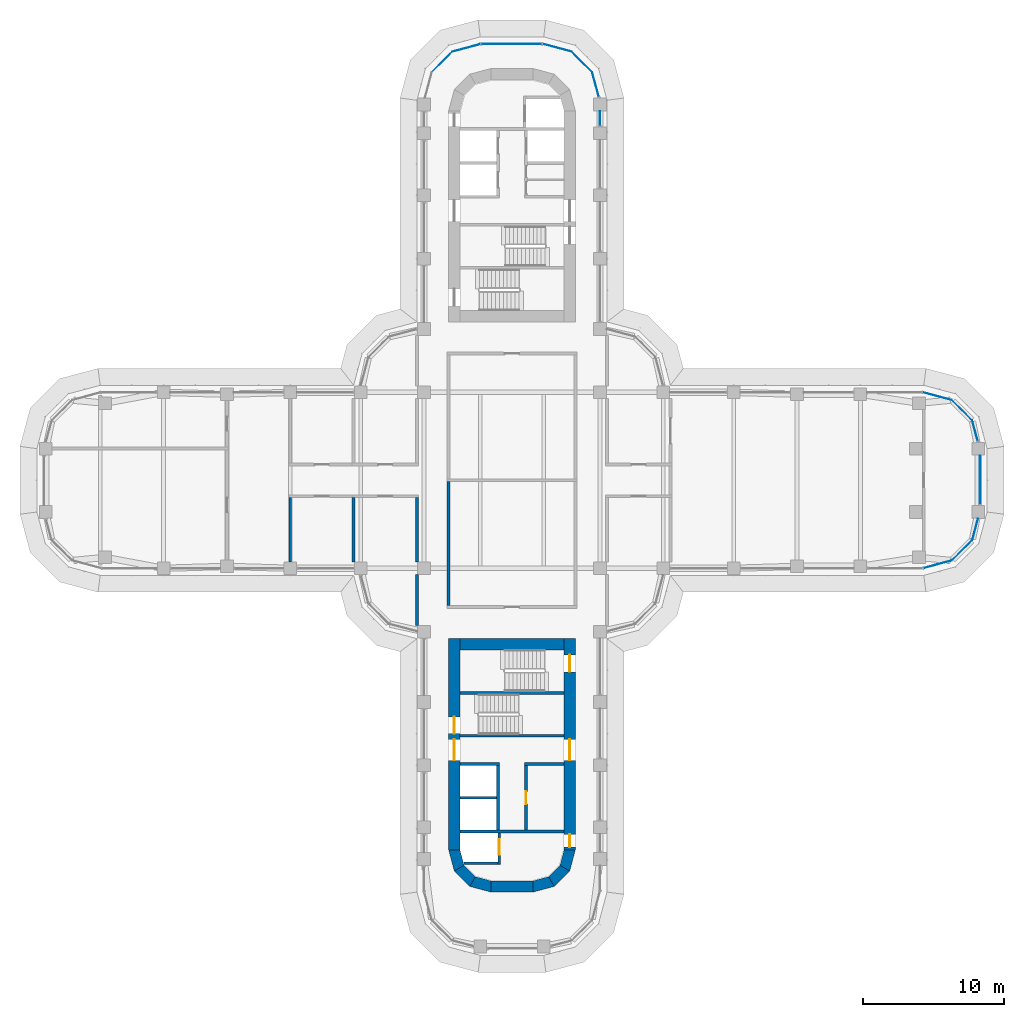
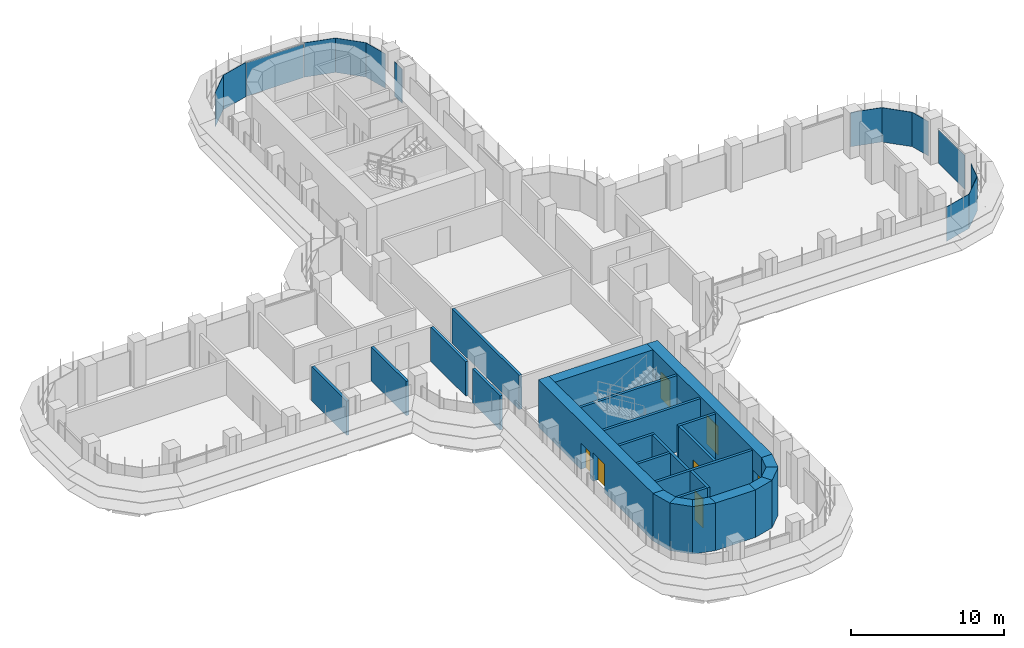
# One storey, part 15 of 21: 25 walls, 14 plates, 7 doors, 7 openings, 14 elements without a shape of their own.
"""IFC4 building model written with IfcOpenShell, lengths in metres."""

from ifc_helpers import new_model, si_unit, direction, frame, frame_2d, origin, place, context, subcontext, project, spatial, polyline, rectangle, outline, extrude, source, transform, mapped, material, layer, layer_set, type_object, element, fill, aggregate, save


model = new_model("IFC4")

# Units and contexts
model_context = context("Model", 3, precision=1e-05, world=origin(), true_north=direction((0.0, 1.0)))
body_context = subcontext(model_context, "Body", "Model", "MODEL_VIEW")
ifc_project = project(units=[si_unit("LENGTHUNIT", "METRE"), si_unit("AREAUNIT", "SQUARE_METRE"), si_unit("VOLUMEUNIT", "CUBIC_METRE"), si_unit("PLANEANGLEUNIT", "RADIAN"), si_unit("MASSUNIT", "GRAM", prefix="KILO")], contexts=[model_context])

# Site, building, storey
site_placement = place(None, origin())
site = spatial("IfcSite", under=ifc_project, at=site_placement, CompositionType="ELEMENT")
building_placement = place(site_placement, origin())
building = spatial("IfcBuilding", under=site, at=building_placement, Name="Zarbagh Exchange Tower", CompositionType="ELEMENT")
storey_placement = place(building_placement, frame((0.0, 0.0, 120.800048828125)))
storey = spatial("IfcBuildingStorey", under=building, at=storey_placement, Name="L28", CompositionType="ELEMENT", Elevation=120.800048828125)

# Curtain wall, plate
ifc_material_1 = material(Name="Anodised aluminium frame and glazing", Category="aluminium")
curtain_wall_type = type_object("IfcCurtainWallType", Name="CWA Ribbon glazing, lower zones", PredefinedType="NOTDEFINED", material=ifc_material_1)
curtain_wall_1_placement = place(storey_placement, origin())
curtain_wall_1 = element("IfcCurtainWall", 1, at=curtain_wall_1_placement, inside=storey, type_object=curtain_wall_type, Name="CWA13 curtain wall", PredefinedType="NOTDEFINED")
ifc_material_2 = material(Name="Low-e double glazed unit, 6+12+6 mm")
ifc_layer_1 = layer(ifc_material_2, 0.028076171875)
ifc_layer_set_1 = layer_set([ifc_layer_1], Name="PAA Glazing panel, Low-e double glazed unit, 6+12+6 mm")
plate_type = type_object("IfcPlateType", Name="PAA Glazing panel, Low-e double glazed unit, 6+12+6 mm", PredefinedType="CURTAIN_PANEL", material=ifc_layer_set_1)
shared_shape_1 = source(origin(), body_context, "Body", "SweptSolid", [
    extrude(outline(polyline([(0.0, -0.013916015625), (1.494140625, -0.013916015625), (1.494140625, 0.013916015625), (0.0, 0.013916015625), (0.0, -0.013916015625)])), origin(), (0.0, 0.0, 1.0), 2.75),
])
placement = place(storey_placement, origin())
plate_1 = element("IfcPlate", 2, at=placement, type_object=plate_type, Name="CWA13 glazing panel 1.1", PredefinedType="CURTAIN_PANEL", context=body_context, shape_type="MappedRepresentation", body=[
    mapped(shared_shape_1, transform((33.08544921875, 2.7978515625, 0.0), x_axis=(-0.258824779902, 0.965924289636, 0.0), y_axis=(-0.965924289636, -0.258824779902, 0.0), z_axis=(0.0, 0.0, 1.0))),
])
aggregate(curtain_wall_1, [plate_1])

curtain_wall_2_placement = place(storey_placement, origin())
curtain_wall_2 = element("IfcCurtainWall", 3, at=curtain_wall_2_placement, inside=storey, type_object=curtain_wall_type, Name="CWA10 curtain wall", PredefinedType="NOTDEFINED")
shared_shape_2 = source(origin(), body_context, "Body", "SweptSolid", [
    extrude(outline(polyline([(0.0, -0.013916015625), (2.061279296875, -0.013916015625), (2.061279296875, 0.013916015625), (0.0, 0.013916015625), (0.0, -0.013916015625)])), origin(), (0.0, 0.0, 1.0), 2.75),
])
plate_2 = element("IfcPlate", 4, at=placement, type_object=plate_type, Name="CWA10 glazing panel 1.1", PredefinedType="CURTAIN_PANEL", context=body_context, shape_type="MappedRepresentation", body=[
    mapped(shared_shape_2, transform((31.2412109375, -5.69873046875, 0.0), x_axis=(0.707106781187, 0.707106781187, 0.0), y_axis=(-0.707106781187, 0.707106781187, 0.0), z_axis=(0.0, 0.0, 1.0))),
])
aggregate(curtain_wall_2, [plate_2])

curtain_wall_3_placement = place(storey_placement, origin())
curtain_wall_3 = element("IfcCurtainWall", 5, at=curtain_wall_3_placement, inside=storey, type_object=curtain_wall_type, Name="CWA14 curtain wall", PredefinedType="NOTDEFINED")
plate_3 = element("IfcPlate", 6, at=placement, type_object=plate_type, Name="CWA14 glazing panel 1.1", PredefinedType="CURTAIN_PANEL", context=body_context, shape_type="MappedRepresentation", body=[
    mapped(shared_shape_2, transform((32.69873046875, 4.2412109375, 0.0), x_axis=(-0.707106781187, 0.707106781187, 0.0), y_axis=(-0.707106781187, -0.707106781187, 0.0), z_axis=(0.0, 0.0, 1.0))),
])
aggregate(curtain_wall_3, [plate_3])

curtain_wall_4_placement = place(storey_placement, origin())
curtain_wall_4 = element("IfcCurtainWall", 7, at=curtain_wall_4_placement, inside=storey, type_object=curtain_wall_type, Name="CWA51 curtain wall", PredefinedType="NOTDEFINED")
plate_4 = element("IfcPlate", 8, at=placement, type_object=plate_type, Name="CWA51 glazing panel 1.1", PredefinedType="CURTAIN_PANEL", context=body_context, shape_type="MappedRepresentation", body=[
    mapped(shared_shape_2, transform((5.69873046875, 28.9912109375, 0.0), x_axis=(-0.707106781187, 0.707106781187, 0.0), y_axis=(-0.707106781187, -0.707106781187, 0.0), z_axis=(0.0, 0.0, 1.0))),
])
aggregate(curtain_wall_4, [plate_4])

curtain_wall_5_placement = place(storey_placement, origin())
curtain_wall_5 = element("IfcCurtainWall", 9, at=curtain_wall_5_placement, inside=storey, type_object=curtain_wall_type, Name="CWA54 curtain wall", PredefinedType="NOTDEFINED")
plate_5 = element("IfcPlate", 10, at=placement, type_object=plate_type, Name="CWA54 glazing panel 1.1", PredefinedType="CURTAIN_PANEL", context=body_context, shape_type="MappedRepresentation", body=[
    mapped(shared_shape_2, transform((-4.2412109375, 30.44873046875, 0.0), x_axis=(-0.707106781187, -0.707106781187, 0.0), y_axis=(0.707106781187, -0.707106781187, 0.0), z_axis=(0.0, 0.0, 1.0))),
])
aggregate(curtain_wall_5, [plate_5])

curtain_wall_6_placement = place(storey_placement, origin())
curtain_wall_6 = element("IfcCurtainWall", 11, at=curtain_wall_6_placement, inside=storey, type_object=curtain_wall_type, Name="CWA15 curtain wall", PredefinedType="NOTDEFINED")
shared_shape_3 = source(origin(), body_context, "Body", "SweptSolid", [
    extrude(outline(polyline([(0.0, -0.013916015625), (2.129638671875, -0.013916015625), (2.129638671875, 0.013916015625), (0.0, 0.013916015625), (0.0, -0.013916015625)])), origin(), (0.0, 0.0, 1.0), 2.75),
])
plate_6 = element("IfcPlate", 12, at=placement, type_object=plate_type, Name="CWA15 glazing panel 1.1", PredefinedType="CURTAIN_PANEL", context=body_context, shape_type="MappedRepresentation", body=[
    mapped(shared_shape_3, transform((31.2412109375, 5.69873046875, 0.0), x_axis=(-0.965924289636, 0.258824779902, 0.0), y_axis=(-0.258824779902, -0.965924289636, 0.0), z_axis=(0.0, 0.0, 1.0))),
])
aggregate(curtain_wall_6, [plate_6])

curtain_wall_7_placement = place(storey_placement, origin())
curtain_wall_7 = element("IfcCurtainWall", 13, at=curtain_wall_7_placement, inside=storey, type_object=curtain_wall_type, Name="CWA52 curtain wall", PredefinedType="NOTDEFINED")
plate_7 = element("IfcPlate", 14, at=placement, type_object=plate_type, Name="CWA52 glazing panel 1.1", PredefinedType="CURTAIN_PANEL", context=body_context, shape_type="MappedRepresentation", body=[
    mapped(shared_shape_3, transform((4.2412109375, 30.44873046875, 0.0), x_axis=(-0.965924289636, 0.258824779902, 0.0), y_axis=(-0.258824779902, -0.965924289636, 0.0), z_axis=(0.0, 0.0, 1.0))),
])
aggregate(curtain_wall_7, [plate_7])

curtain_wall_8_placement = place(storey_placement, origin())
curtain_wall_8 = element("IfcCurtainWall", 15, at=curtain_wall_8_placement, inside=storey, type_object=curtain_wall_type, Name="CWA09 curtain wall", PredefinedType="NOTDEFINED")
shared_shape_4 = source(origin(), body_context, "Body", "SweptSolid", [
    extrude(outline(polyline([(0.0, -0.013916015625), (2.069580078125, -0.013916015625), (2.069580078125, 0.013916015625), (0.0, 0.013916015625), (0.0, -0.013916015625)])), origin(), (0.0, 0.0, 1.0), 2.75),
])
plate_8 = element("IfcPlate", 16, at=placement, type_object=plate_type, Name="CWA09 glazing panel 1.1", PredefinedType="CURTAIN_PANEL", context=body_context, shape_type="MappedRepresentation", body=[
    mapped(shared_shape_4, transform((29.2421875, -6.234375, 0.0), x_axis=(0.965924289636, 0.258824779902, 0.0), y_axis=(-0.258824779902, 0.965924289636, 0.0), z_axis=(0.0, 0.0, 1.0))),
])
aggregate(curtain_wall_8, [plate_8])

curtain_wall_9_placement = place(storey_placement, origin())
curtain_wall_9 = element("IfcCurtainWall", 17, at=curtain_wall_9_placement, inside=storey, type_object=curtain_wall_type, Name="CWA53 curtain wall", PredefinedType="NOTDEFINED")
plate_9 = element("IfcPlate", 18, at=placement, type_object=plate_type, Name="CWA53 glazing panel 1.1", PredefinedType="CURTAIN_PANEL", context=body_context, shape_type="MappedRepresentation", body=[
    mapped(shared_shape_4, transform((-2.2421875, 30.984375, 0.0), x_axis=(-0.965924289636, -0.258824779902, 0.0), y_axis=(0.258824779902, -0.965924289636, 0.0), z_axis=(0.0, 0.0, 1.0))),
])
aggregate(curtain_wall_9, [plate_9])

curtain_wall_10_placement = place(storey_placement, origin())
curtain_wall_10 = element("IfcCurtainWall", 19, at=curtain_wall_10_placement, inside=storey, type_object=curtain_wall_type, Name="CWA11 curtain wall", PredefinedType="NOTDEFINED")
shared_shape_5 = source(origin(), body_context, "Body", "SweptSolid", [
    extrude(outline(polyline([(0.0, -0.013916015625), (1.55419921875, -0.013916015625), (1.55419921875, 0.013916015625), (0.0, 0.013916015625), (0.0, -0.013916015625)])), origin(), (0.0, 0.0, 1.0), 2.75),
])
plate_10 = element("IfcPlate", 20, at=placement, type_object=plate_type, Name="CWA11 glazing panel 1.1", PredefinedType="CURTAIN_PANEL", context=body_context, shape_type="MappedRepresentation", body=[
    mapped(shared_shape_5, transform((32.69873046875, -4.2412109375, 0.0), x_axis=(0.258824779902, 0.965924289636, 0.0), y_axis=(-0.965924289636, 0.258824779902, 0.0), z_axis=(0.0, 0.0, 1.0))),
])
aggregate(curtain_wall_10, [plate_10])

curtain_wall_11_placement = place(storey_placement, origin())
curtain_wall_11 = element("IfcCurtainWall", 21, at=curtain_wall_11_placement, inside=storey, type_object=curtain_wall_type, Name="CWA12 curtain wall", PredefinedType="NOTDEFINED")
shared_shape_6 = source(origin(), body_context, "Body", "SweptSolid", [
    extrude(outline(polyline([(0.0, -0.013916015625), (3.4599609375, -0.013916015625), (3.4599609375, 0.013916015625), (0.0, 0.013916015625), (0.0, -0.013916015625)])), origin(), (0.0, 0.0, 1.0), 2.68994140625),
])
plate_11 = element("IfcPlate", 22, at=placement, type_object=plate_type, Name="CWA12 glazing panel 1.1", PredefinedType="CURTAIN_PANEL", context=body_context, shape_type="MappedRepresentation", body=[
    mapped(shared_shape_6, transform((33.25, -1.699951171875, 0.0), x_axis=(0.0, 1.0, 0.0), y_axis=(-1.0, 0.0, 0.0), z_axis=(0.0, 0.0, 1.0))),
])
aggregate(curtain_wall_11, [plate_11])

curtain_wall_12_placement = place(storey_placement, origin())
curtain_wall_12 = element("IfcCurtainWall", 23, at=curtain_wall_12_placement, inside=storey, type_object=curtain_wall_type, Name="CWA49 curtain wall", PredefinedType="NOTDEFINED")
shared_shape_7 = source(origin(), body_context, "Body", "SweptSolid", [
    extrude(outline(polyline([(0.0, -0.013916015625), (1.010009765625, -0.013916015625), (1.010009765625, 0.013916015625), (0.0, 0.013916015625), (0.0, -0.013916015625)])), origin(), (0.0, 0.0, 1.0), 2.75),
])
plate_12 = element("IfcPlate", 24, at=placement, type_object=plate_type, Name="CWA49 glazing panel 4.1", PredefinedType="CURTAIN_PANEL", context=body_context, shape_type="MappedRepresentation", body=[
    mapped(shared_shape_7, transform((6.25, 25.199951171875, 0.0), x_axis=(0.0, 1.0, 0.0), y_axis=(-1.0, 0.0, 0.0), z_axis=(0.0, 0.0, 1.0))),
])
aggregate(curtain_wall_12, [plate_12])

curtain_wall_13_placement = place(storey_placement, origin())
curtain_wall_13 = element("IfcCurtainWall", 25, at=curtain_wall_13_placement, inside=storey, type_object=curtain_wall_type, Name="CWA50 curtain wall", PredefinedType="NOTDEFINED")
shared_shape_8 = source(origin(), body_context, "Body", "SweptSolid", [
    extrude(outline(polyline([(0.0, -0.013916015625), (1.8046875, -0.013916015625), (1.8046875, 0.013916015625), (0.0, 0.013916015625), (0.0, -0.013916015625)])), origin(), (0.0, 0.0, 1.0), 2.75),
])
plate_13 = element("IfcPlate", 26, at=placement, type_object=plate_type, Name="CWA50 glazing panel 1.1", PredefinedType="CURTAIN_PANEL", context=body_context, shape_type="MappedRepresentation", body=[
    mapped(shared_shape_8, transform((6.166015625, 27.248046875, 0.0), x_axis=(-0.258824779902, 0.965924289636, 0.0), y_axis=(-0.965924289636, -0.258824779902, 0.0), z_axis=(0.0, 0.0, 1.0))),
])
aggregate(curtain_wall_13, [plate_13])

curtain_wall_14_placement = place(storey_placement, origin())
curtain_wall_14 = element("IfcCurtainWall", 27, at=curtain_wall_14_placement, inside=storey, type_object=curtain_wall_type, Name="CWA57 curtain wall", PredefinedType="NOTDEFINED")
shared_shape_9 = source(origin(), body_context, "Body", "SweptSolid", [
    extrude(outline(polyline([(0.0, -0.013916015625), (4.308349609375, -0.013916015625), (4.308349609375, 0.013916015625), (0.0, 0.013916015625), (0.0, -0.013916015625)])), origin(), (0.0, 0.0, 1.0), 2.68994140625),
])
plate_14 = element("IfcPlate", 28, at=placement, type_object=plate_type, Name="CWA57 glazing panel 1.1", PredefinedType="CURTAIN_PANEL", context=body_context, shape_type="MappedRepresentation", body=[
    mapped(shared_shape_9, transform((2.124267578125, 31.0, 0.0), x_axis=(-1.0, 0.0, 0.0), y_axis=(0.0, -1.0, 0.0), z_axis=(0.0, 0.0, 1.0))),
])
aggregate(curtain_wall_14, [plate_14])

# Walls
ifc_material_3 = material(Name="Fire-rated plasterboard partition")
ifc_layer_2 = layer(ifc_material_3, 0.199951171875)
ifc_layer_set_2 = layer_set([ifc_layer_2], Name="RATED PARTITION 200")
wall_type_1 = type_object("IfcWallType", Name="RATED PARTITION 200", PredefinedType="PARTITIONING", material=ifc_layer_set_2)
wall_1_placement = place(storey_placement, frame((-4.5, -8.89990234375, 0.0), z_axis=(0.0, 0.0, 1.0), x_axis=(0.0, 1.0, 0.0)))
element("IfcWall", 29, at=wall_1_placement, inside=storey, type_object=wall_type_1, Name="Partition W-1002", PredefinedType="PARTITIONING", context=body_context, shape_type="SweptSolid", body=[
    extrude(rectangle(XDim=8.7998046875, YDim=0.199951171875, at=frame_2d((4.39990234375, 0.0))), origin(), (0.0, 0.0, 1.0), 2.738037109375),
])
wall_2_placement = place(storey_placement, frame((-6.75, -10.300048828125, 0.0), z_axis=(0.0, 0.0, 1.0), x_axis=(0.0, 1.0, 0.0)))
element("IfcWall", 30, at=wall_2_placement, inside=storey, type_object=wall_type_1, Name="Partition W-1005", PredefinedType="PARTITIONING", context=body_context, shape_type="SweptSolid", body=[
    extrude(rectangle(XDim=3.60009765625, YDim=0.199951171875, at=frame_2d((1.800048828125, 0.0))), origin(), (0.0, 0.0, 1.0), 2.738037109375),
])
for number, where, z_axis, x_axis, name in (
    (31, (-6.75, -5.800048828125, 0.0), (0.0, 0.0, 1.0), (0.0, 1.0, 0.0), "Partition W-1006"),
    (32, (-11.25, -5.800048828125, 0.0), (0.0, 0.0, 1.0), (0.0, 1.0, 0.0), "Partition W-1027"),
    (33, (-15.75, -5.800048828125, 0.0), (0.0, 0.0, 1.0), (0.0, 1.0, 0.0), "Partition W-1029"),
):
    element("IfcWall", number, at=place(storey_placement, frame(where, z_axis=z_axis, x_axis=x_axis)), inside=storey, type_object=wall_type_1, Name=name, PredefinedType="PARTITIONING", context=body_context, shape_type="SweptSolid", body=[
        extrude(rectangle(XDim=4.574951171875, YDim=0.199951171875, at=frame_2d((2.28759765625, 0.0))), origin(), (0.0, 0.0, 1.0), 2.738037109375),
    ])
ifc_material_4 = material(Name="Concrete C60/75", Category="concrete")
ifc_layer_3 = layer(ifc_material_4, 0.800048828125)
ifc_layer_set_3 = layer_set([ifc_layer_3], Name="RC core corner wall 800 C60/75")
wall_type_2 = type_object("IfcWallType", Name="RC core corner wall 800 C60/75", PredefinedType="SHEAR", material=ifc_layer_set_3)
wall_3_placement = place(storey_placement, origin())
element("IfcWall", 34, at=wall_3_placement, inside=storey, type_object=wall_type_2, Name="CW4 core S corner W", PredefinedType="SHEAR", context=body_context, shape_type="SweptSolid", body=[
    extrude(outline(polyline([(-4.5, -26.25), (-4.09814453125, -27.75), (-3.4052734375, -27.35009765625), (-3.699951171875, -26.25), (-4.5, -26.25)])), origin(), (0.0, 0.0, 1.0), 3.800048828125),
])
wall_4_placement = place(storey_placement, origin())
element("IfcWall", 35, at=wall_4_placement, inside=storey, type_object=wall_type_2, Name="CW4 core S corner W", PredefinedType="SHEAR", context=body_context, shape_type="SweptSolid", body=[
    extrude(outline(polyline([(-4.09814453125, -27.75), (-3.0, -28.84814453125), (-2.60009765625, -28.1552734375), (-3.4052734375, -27.35009765625), (-4.09814453125, -27.75)])), origin(), (0.0, 0.0, 1.0), 3.800048828125),
])
wall_5_placement = place(storey_placement, origin())
element("IfcWall", 36, at=wall_5_placement, inside=storey, type_object=wall_type_2, Name="CW4 core S corner W", PredefinedType="SHEAR", context=body_context, shape_type="SweptSolid", body=[
    extrude(outline(polyline([(-3.0, -28.84814453125), (-1.5, -29.25), (-1.5, -28.449951171875), (-2.60009765625, -28.1552734375), (-3.0, -28.84814453125)])), origin(), (0.0, 0.0, 1.0), 3.800048828125),
])
wall_6_placement = place(storey_placement, origin())
element("IfcWall", 37, at=wall_6_placement, inside=storey, type_object=wall_type_2, Name="CW4 core S corner E", PredefinedType="SHEAR", context=body_context, shape_type="SweptSolid", body=[
    extrude(outline(polyline([(4.5, -26.25), (4.09814453125, -27.75), (3.4052734375, -27.35009765625), (3.699951171875, -26.25), (4.5, -26.25)])), origin(), (0.0, 0.0, 1.0), 3.800048828125),
])
wall_7_placement = place(storey_placement, origin())
element("IfcWall", 38, at=wall_7_placement, inside=storey, type_object=wall_type_2, Name="CW4 core S corner E", PredefinedType="SHEAR", context=body_context, shape_type="SweptSolid", body=[
    extrude(outline(polyline([(4.09814453125, -27.75), (3.0, -28.84814453125), (2.60009765625, -28.1552734375), (3.4052734375, -27.35009765625), (4.09814453125, -27.75)])), origin(), (0.0, 0.0, 1.0), 3.800048828125),
])
wall_8_placement = place(storey_placement, origin())
element("IfcWall", 39, at=wall_8_placement, inside=storey, type_object=wall_type_2, Name="CW4 core S corner E", PredefinedType="SHEAR", context=body_context, shape_type="SweptSolid", body=[
    extrude(outline(polyline([(3.0, -28.84814453125), (1.5, -29.25), (1.5, -28.449951171875), (2.60009765625, -28.1552734375), (3.0, -28.84814453125)])), origin(), (0.0, 0.0, 1.0), 3.800048828125),
])

# Wall, openings, doors
ifc_layer_4 = layer(ifc_material_4, 0.800048828125)
ifc_layer_set_4 = layer_set([ifc_layer_4], Name="RC core wall 800 C60/75")
wall_type_3 = type_object("IfcWallType", Name="RC core wall 800 C60/75", PredefinedType="SHEAR", material=ifc_layer_set_4)
wall_9_placement = place(storey_placement, frame((-4.10009765625, -11.25, 0.0), z_axis=(0.0, 0.0, 1.0), x_axis=(0.0, -1.0, 0.0)))
wall_9 = element("IfcWall", 40, at=wall_9_placement, inside=storey, type_object=wall_type_3, Name="CW3 core S W", PredefinedType="SHEAR", context=body_context, shape_type="SweptSolid", body=[
    extrude(rectangle(XDim=15.0, YDim=0.800048828125, at=frame_2d((7.5, 0.0))), origin(), (0.0, 0.0, 1.0), 3.800048828125),
])
opening_1_placement = place(wall_9_placement, frame((7.14990234375, 0.0, 0.0)))
opening_1 = element("IfcOpeningElement", 41, at=opening_1_placement, cuts=wall_9, Name="Opening CD1-1500", PredefinedType="OPENING", context=body_context, shape_type="SweptSolid", body=[
    extrude(rectangle(XDim=1.5, YDim=2.300048828125, at=frame_2d((0.75, 1.14990234375))), frame((0.0, 0.409912109375, 0.0), z_axis=(0.0, -1.0, 0.0), x_axis=(1.0, 0.0, 0.0)), (0.0, 0.0, 1.0), 0.820068359375),
])
opening_2_placement = place(wall_9_placement, frame((5.550048828125, 0.0, 0.0)))
opening_2 = element("IfcOpeningElement", 42, at=opening_2_placement, cuts=wall_9, Name="Opening SD1-1200", PredefinedType="OPENING", context=body_context, shape_type="SweptSolid", body=[
    extrude(rectangle(XDim=1.199951171875, YDim=2.10009765625, at=frame_2d((0.60009765625, 1.050048828125))), frame((0.0, 0.409912109375, 0.0), z_axis=(0.0, -1.0, 0.0), x_axis=(1.0, 0.0, 0.0)), (0.0, 0.0, 1.0), 0.820068359375),
])
ifc_material_5 = material(Name="Steel", Category="steel")
door_type_1 = type_object("IfcDoorType", Name="Exit stair door 1200 x 2100", OperationType="NOTDEFINED", PredefinedType="DOOR", material=ifc_material_5)
door_1_placement = place(opening_2_placement, origin())
door_1 = element("IfcDoor", 43, at=door_1_placement, inside=storey, type_object=door_type_1, Name="South core stair door ST1", OperationType="SINGLE_SWING_LEFT", OverallHeight=2.10009765625, OverallWidth=1.199951171875, PredefinedType="DOOR", context=body_context, shape_type="SweptSolid", body=[
    extrude(rectangle(XDim=1.199951171875, YDim=2.10009765625, at=frame_2d((0.60009765625, 1.050048828125))), frame((0.0, 0.02490234375, 0.0), z_axis=(0.0, -1.0, 0.0), x_axis=(1.0, 0.0, 0.0)), (0.0, 0.0, 1.0), 0.050048828125),
])
fill(opening_2, door_1)
door_type_2 = type_object("IfcDoorType", Name="Lift lobby double door 1500 x 2300", OperationType="NOTDEFINED", PredefinedType="DOOR", material=ifc_material_5)
door_2_placement = place(opening_1_placement, origin())
door_2 = element("IfcDoor", 44, at=door_2_placement, inside=storey, type_object=door_type_2, Name="South core lift lobby door LOBBY-E", OperationType="DOUBLE_DOOR_SINGLE_SWING", OverallHeight=2.300048828125, OverallWidth=1.5, PredefinedType="DOOR", context=body_context, shape_type="SweptSolid", body=[
    extrude(rectangle(XDim=1.5, YDim=2.300048828125, at=frame_2d((0.75, 1.14990234375))), frame((0.0, 0.02490234375, 0.0), z_axis=(0.0, -1.0, 0.0), x_axis=(1.0, 0.0, 0.0)), (0.0, 0.0, 1.0), 0.050048828125),
])
fill(opening_1, door_2)

wall_10_placement = place(storey_placement, frame((4.10009765625, -11.25, 0.0), z_axis=(0.0, 0.0, 1.0), x_axis=(0.0, -1.0, 0.0)))
wall_10 = element("IfcWall", 45, at=wall_10_placement, inside=storey, type_object=wall_type_3, Name="CW3 core S E", PredefinedType="SHEAR", context=body_context, shape_type="SweptSolid", body=[
    extrude(rectangle(XDim=15.0, YDim=0.800048828125, at=frame_2d((7.5, 0.0))), origin(), (0.0, 0.0, 1.0), 3.800048828125),
])
opening_3_placement = place(wall_10_placement, frame((7.14990234375, 0.0, 0.0)))
opening_3 = element("IfcOpeningElement", 46, at=opening_3_placement, cuts=wall_10, Name="Opening CD1-1500", PredefinedType="OPENING", context=body_context, shape_type="SweptSolid", body=[
    extrude(rectangle(XDim=1.5, YDim=2.300048828125, at=frame_2d((0.75, 1.14990234375))), frame((0.0, 0.409912109375, 0.0), z_axis=(0.0, -1.0, 0.0), x_axis=(1.0, 0.0, 0.0)), (0.0, 0.0, 1.0), 0.820068359375),
])
opening_4_placement = place(wall_10_placement, frame((13.89990234375, 0.0, 0.0)))
opening_4 = element("IfcOpeningElement", 47, at=opening_4_placement, cuts=wall_10, Name="Opening CD2-900", PredefinedType="OPENING", context=body_context, shape_type="SweptSolid", body=[
    extrude(rectangle(XDim=0.89990234375, YDim=2.10009765625, at=frame_2d((0.449951171875, 1.050048828125))), frame((0.0, 0.409912109375, 0.0), z_axis=(0.0, -1.0, 0.0), x_axis=(1.0, 0.0, 0.0)), (0.0, 0.0, 1.0), 0.820068359375),
])
opening_5_placement = place(wall_10_placement, frame((1.14990234375, 0.0, 0.0)))
opening_5 = element("IfcOpeningElement", 48, at=opening_5_placement, cuts=wall_10, Name="Opening SD1-1200", PredefinedType="OPENING", context=body_context, shape_type="SweptSolid", body=[
    extrude(rectangle(XDim=1.199951171875, YDim=2.10009765625, at=frame_2d((0.60009765625, 1.050048828125))), frame((0.0, 0.409912109375, 0.0), z_axis=(0.0, -1.0, 0.0), x_axis=(1.0, 0.0, 0.0)), (0.0, 0.0, 1.0), 0.820068359375),
])
door_3_placement = place(opening_5_placement, origin())
door_3 = element("IfcDoor", 49, at=door_3_placement, inside=storey, type_object=door_type_1, Name="South core stair door ST2", OperationType="SINGLE_SWING_LEFT", OverallHeight=2.10009765625, OverallWidth=1.199951171875, PredefinedType="DOOR", context=body_context, shape_type="SweptSolid", body=[
    extrude(rectangle(XDim=1.199951171875, YDim=2.10009765625, at=frame_2d((0.60009765625, 1.050048828125))), frame((0.0, 0.02490234375, 0.0), z_axis=(0.0, -1.0, 0.0), x_axis=(1.0, 0.0, 0.0)), (0.0, 0.0, 1.0), 0.050048828125),
])
fill(opening_5, door_3)
door_type_3 = type_object("IfcDoorType", Name="Firefighting lobby door 900 x 2100", OperationType="NOTDEFINED", PredefinedType="DOOR", material=ifc_material_5)
door_4_placement = place(opening_4_placement, origin())
door_4 = element("IfcDoor", 50, at=door_4_placement, inside=storey, type_object=door_type_3, Name="South core firefighting lobby door FF-W", OperationType="SINGLE_SWING_RIGHT", OverallHeight=2.10009765625, OverallWidth=0.89990234375, PredefinedType="DOOR", context=body_context, shape_type="SweptSolid", body=[
    extrude(rectangle(XDim=0.89990234375, YDim=2.10009765625, at=frame_2d((0.449951171875, 1.050048828125))), frame((0.0, 0.02490234375, 0.0), z_axis=(0.0, -1.0, 0.0), x_axis=(1.0, 0.0, 0.0)), (0.0, 0.0, 1.0), 0.050048828125),
])
fill(opening_4, door_4)
door_5_placement = place(opening_3_placement, origin())
door_5 = element("IfcDoor", 51, at=door_5_placement, inside=storey, type_object=door_type_2, Name="South core lift lobby door LOBBY-W", OperationType="DOUBLE_DOOR_SINGLE_SWING", OverallHeight=2.300048828125, OverallWidth=1.5, PredefinedType="DOOR", context=body_context, shape_type="SweptSolid", body=[
    extrude(rectangle(XDim=1.5, YDim=2.300048828125, at=frame_2d((0.75, 1.14990234375))), frame((0.0, 0.02490234375, 0.0), z_axis=(0.0, -1.0, 0.0), x_axis=(1.0, 0.0, 0.0)), (0.0, 0.0, 1.0), 0.050048828125),
])
fill(opening_3, door_5)

# Walls
wall_11_placement = place(storey_placement, frame((-3.699951171875, -11.64990234375, 0.0), z_axis=(0.0, 0.0, 1.0), x_axis=(1.0, 0.0, 0.0)))
element("IfcWall", 52, at=wall_11_placement, inside=storey, type_object=wall_type_3, Name="CW3 core S inner end", PredefinedType="SHEAR", context=body_context, shape_type="SweptSolid", body=[
    extrude(rectangle(XDim=7.39990234375, YDim=0.800048828125, at=frame_2d((3.699951171875, 0.0))), origin(), (0.0, 0.0, 1.0), 3.800048828125),
])
wall_12_placement = place(storey_placement, frame((-1.5, -28.85009765625, 0.0), z_axis=(0.0, 0.0, 1.0), x_axis=(1.0, 0.0, 0.0)))
element("IfcWall", 53, at=wall_12_placement, inside=storey, type_object=wall_type_3, Name="CW3 core S outer end", PredefinedType="SHEAR", context=body_context, shape_type="SweptSolid", body=[
    extrude(rectangle(XDim=3.0, YDim=0.800048828125, at=frame_2d((1.5, 0.0))), origin(), (0.0, 0.0, 1.0), 3.800048828125),
])
ifc_material_6 = material(Name="Dense blockwork", Category="masonry")
ifc_layer_5 = layer(ifc_material_6, 0.199951171875)
ifc_layer_set_5 = layer_set([ifc_layer_5], Name="Shaft wall 200 mm blockwork")
wall_type_4 = type_object("IfcWallType", Name="Shaft wall 200 mm blockwork", PredefinedType="PARTITIONING", material=ifc_layer_set_5)
wall_13_placement = place(storey_placement, frame((3.699951171875, -20.14990234375, 0.0), z_axis=(0.0, 0.0, 1.0), x_axis=(-1.0, 0.0, 0.0)))
element("IfcWall", 54, at=wall_13_placement, inside=storey, type_object=wall_type_4, Name="South core shaft wall AB-W", PredefinedType="PARTITIONING", context=body_context, shape_type="SweptSolid", body=[
    extrude(rectangle(XDim=2.800048828125, YDim=0.199951171875, at=frame_2d((1.39990234375, 0.0))), origin(), (0.0, 0.0, 1.0), 3.64990234375),
])

# Wall, opening, door
wall_14_placement = place(storey_placement, frame((1.0, -24.85009765625, 0.0), z_axis=(0.0, 0.0, 1.0), x_axis=(0.0, 1.0, 0.0)))
wall_14 = element("IfcWall", 55, at=wall_14_placement, inside=storey, type_object=wall_type_4, Name="South core shaft wall LW-W", PredefinedType="PARTITIONING", context=body_context, shape_type="SweptSolid", body=[
    extrude(rectangle(XDim=4.60009765625, YDim=0.199951171875, at=frame_2d((2.300048828125, 0.0))), origin(), (0.0, 0.0, 1.0), 3.64990234375),
])
opening_6_placement = place(wall_14_placement, frame((1.85009765625, 0.0, 0.0)))
opening_6 = element("IfcOpeningElement", 56, at=opening_6_placement, cuts=wall_14, Name="Opening CD3-900", PredefinedType="OPENING", context=body_context, shape_type="SweptSolid", body=[
    extrude(rectangle(XDim=0.89990234375, YDim=2.10009765625, at=frame_2d((0.449951171875, 1.050048828125))), frame((0.0, 0.10986328125, 0.0), z_axis=(0.0, -1.0, 0.0), x_axis=(1.0, 0.0, 0.0)), (0.0, 0.0, 1.0), 0.219970703125),
])
door_type_4 = type_object("IfcDoorType", Name="Core room door 900 x 2100", OperationType="NOTDEFINED", PredefinedType="DOOR", material=ifc_material_5)
door_6_placement = place(opening_6_placement, origin())
door_6 = element("IfcDoor", 57, at=door_6_placement, inside=storey, type_object=door_type_4, Name="South core Accessible WC door RD-W-0", OperationType="SINGLE_SWING_LEFT", OverallHeight=2.10009765625, OverallWidth=0.89990234375, PredefinedType="DOOR", context=body_context, shape_type="SweptSolid", body=[
    extrude(rectangle(XDim=0.89990234375, YDim=2.10009765625, at=frame_2d((0.449951171875, 1.050048828125))), frame((0.0, 0.02490234375, 0.0), z_axis=(0.0, -1.0, 0.0), x_axis=(1.0, 0.0, 0.0)), (0.0, 0.0, 1.0), 0.050048828125),
])
fill(opening_6, door_6)

# Walls
wall_15_placement = place(storey_placement, frame((-0.89990234375, -20.14990234375, 0.0), z_axis=(0.0, 0.0, 1.0), x_axis=(-1.0, 0.0, 0.0)))
element("IfcWall", 58, at=wall_15_placement, inside=storey, type_object=wall_type_4, Name="South core shaft wall AB-E", PredefinedType="PARTITIONING", context=body_context, shape_type="SweptSolid", body=[
    extrude(rectangle(XDim=2.800048828125, YDim=0.199951171875, at=frame_2d((1.39990234375, 0.0))), origin(), (0.0, 0.0, 1.0), 3.64990234375),
])
wall_16_placement = place(storey_placement, frame((-1.0, -24.85009765625, 0.0), z_axis=(0.0, 0.0, 1.0), x_axis=(0.0, 1.0, 0.0)))
element("IfcWall", 59, at=wall_16_placement, inside=storey, type_object=wall_type_4, Name="South core shaft wall LW-E", PredefinedType="PARTITIONING", context=body_context, shape_type="SweptSolid", body=[
    extrude(rectangle(XDim=4.60009765625, YDim=0.199951171875, at=frame_2d((2.300048828125, 0.0))), origin(), (0.0, 0.0, 1.0), 3.64990234375),
])
wall_17_placement = place(storey_placement, frame((-1.10009765625, -22.550048828125, 0.0), z_axis=(0.0, 0.0, 1.0), x_axis=(-1.0, 0.0, 0.0)))
element("IfcWall", 60, at=wall_17_placement, inside=storey, type_object=wall_type_4, Name="South core shaft wall TR-E", PredefinedType="PARTITIONING", context=body_context, shape_type="SweptSolid", body=[
    extrude(rectangle(XDim=2.599853515625, YDim=0.199951171875, at=frame_2d((1.2998046875, 0.0))), origin(), (0.0, 0.0, 1.0), 3.64990234375),
])
ifc_material_7 = material(Name="Concrete C40/50", Category="concrete")
ifc_layer_6 = layer(ifc_material_7, 0.199951171875)
ifc_layer_set_6 = layer_set([ifc_layer_6], Name="Stair enclosure wall 200 mm RC C40/50")
wall_type_5 = type_object("IfcWallType", Name="Stair enclosure wall 200 mm RC C40/50", PredefinedType="SHEAR", material=ifc_layer_set_6)
wall_18_placement = place(storey_placement, frame((3.699951171875, -24.949951171875, 0.0), z_axis=(0.0, 0.0, 1.0), x_axis=(-1.0, 0.0, 0.0)))
element("IfcWall", 61, at=wall_18_placement, inside=storey, type_object=wall_type_5, Name="South core lift shaft wall FFA", PredefinedType="SHEAR", context=body_context, shape_type="SweptSolid", body=[
    extrude(rectangle(XDim=7.39990234375, YDim=0.199951171875, at=frame_2d((3.699951171875, 0.0))), origin(), (0.0, 0.0, 1.0), 3.64990234375),
])

# Wall, opening, door
wall_19_placement = place(storey_placement, frame((-0.89990234375, -27.300048828125, 0.0), z_axis=(0.0, 0.0, 1.0), x_axis=(0.0, 1.0, 0.0)))
wall_19 = element("IfcWall", 62, at=wall_19_placement, inside=storey, type_object=wall_type_5, Name="South core lift shaft wall FFL", PredefinedType="SHEAR", context=body_context, shape_type="SweptSolid", body=[
    extrude(rectangle(XDim=2.25, YDim=0.199951171875, at=frame_2d((1.125, 0.0))), origin(), (0.0, 0.0, 1.0), 3.64990234375),
])
opening_7_placement = place(wall_19_placement, frame((0.699951171875, 0.0, 0.0)))
opening_7 = element("IfcOpeningElement", 63, at=opening_7_placement, cuts=wall_19, Name="Opening LD-1100", PredefinedType="OPENING", context=body_context, shape_type="SweptSolid", body=[
    extrude(rectangle(XDim=1.10009765625, YDim=2.300048828125, at=frame_2d((0.550048828125, 1.14990234375))), frame((0.0, 0.10986328125, 0.0), z_axis=(0.0, -1.0, 0.0), x_axis=(1.0, 0.0, 0.0)), (0.0, 0.0, 1.0), 0.219970703125),
])
ifc_material_8 = material(Name="Stainless steel", Category="steel")
door_type_5 = type_object("IfcDoorType", Name="Lift landing door 1100 x 2300", OperationType="NOTDEFINED", PredefinedType="DOOR", material=ifc_material_8)
door_7_placement = place(opening_7_placement, origin())
door_7 = element("IfcDoor", 64, at=door_7_placement, inside=storey, type_object=door_type_5, Name="South core lift landing door LD-F", OperationType="DOUBLE_DOOR_SLIDING", OverallHeight=2.300048828125, OverallWidth=1.10009765625, PredefinedType="DOOR", context=body_context, shape_type="SweptSolid", body=[
    extrude(rectangle(XDim=1.10009765625, YDim=2.300048828125, at=frame_2d((0.550048828125, 1.14990234375))), frame((0.0, 0.02490234375, 0.0), z_axis=(0.0, -1.0, 0.0), x_axis=(1.0, 0.0, 0.0)), (0.0, 0.0, 1.0), 0.050048828125),
])
fill(opening_7, door_7)

# Walls
wall_20_placement = place(storey_placement, origin())
element("IfcWall", 65, at=wall_20_placement, inside=storey, type_object=wall_type_5, Name="South core lift shaft wall FFX", PredefinedType="SHEAR", context=body_context, shape_type="SweptSolid", body=[
    extrude(outline(polyline([(-1.0, -27.10009765625), (-3.444091796875, -27.10009765625), (-3.390380859375, -27.300048828125), (-1.0, -27.300048828125), (-1.0, -27.10009765625)])), origin(), (0.0, 0.0, 1.0), 3.64990234375),
])
for number, where, z_axis, x_axis, name in (
    (66, (3.699951171875, -18.14990234375, 0.0), (0.0, 0.0, 1.0), (-1.0, 0.0, 0.0), "South core stair wall BS"),
    (67, (3.699951171875, -15.10009765625, 0.0), (0.0, 0.0, 1.0), (-1.0, 0.0, 0.0), "South core stair wall ST12"),
):
    element("IfcWall", number, at=place(storey_placement, frame(where, z_axis=z_axis, x_axis=x_axis)), inside=storey, type_object=wall_type_5, Name=name, PredefinedType="SHEAR", context=body_context, shape_type="SweptSolid", body=[
        extrude(rectangle(XDim=7.39990234375, YDim=0.199951171875, at=frame_2d((3.699951171875, 0.0))), origin(), (0.0, 0.0, 1.0), 3.64990234375),
    ])

save(model, "model.ifc")
